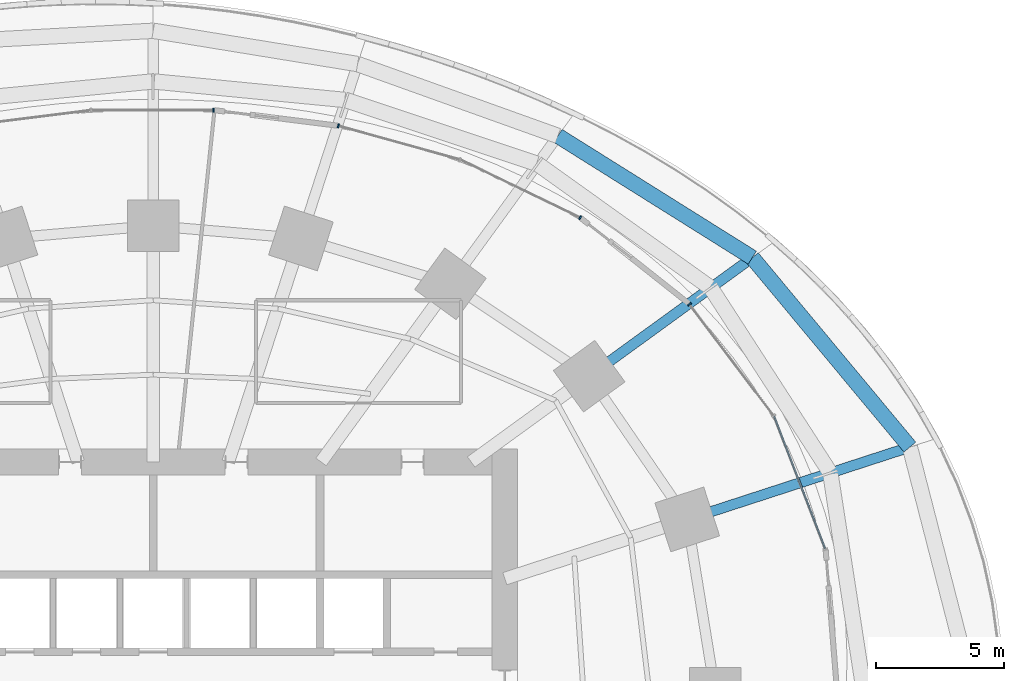
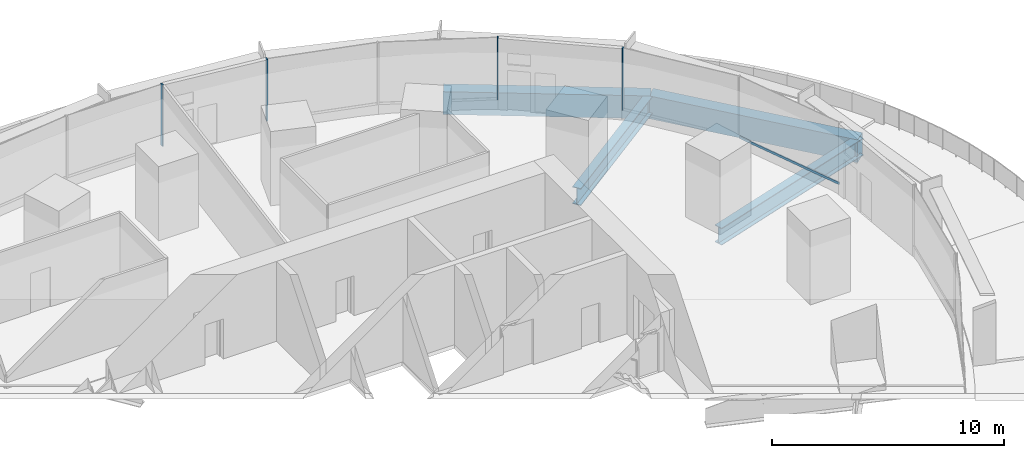
# One storey, part 9 of 20: 5 members, 4 beams, 4 elements without a shape of their own.
"""IFC4 building model written with IfcOpenShell, lengths in metres."""

from ifc_helpers import new_model, si_unit, direction, frame, origin, origin_2d, place, context, subcontext, project, spatial, rectangle, i_section, extrude, material, material_profile, profile_set, type_object, element, aggregate, save


model = new_model("IFC4")

# Units and contexts
model_context = context("Model", 3, precision=1e-05, world=origin(), true_north=direction((0.0, 1.0)))
body_context = subcontext(model_context, "Body", "Model", "MODEL_VIEW")
ifc_project = project(units=[si_unit("LENGTHUNIT", "METRE"), si_unit("AREAUNIT", "SQUARE_METRE"), si_unit("VOLUMEUNIT", "CUBIC_METRE"), si_unit("PLANEANGLEUNIT", "RADIAN"), si_unit("MASSUNIT", "GRAM", prefix="KILO")], contexts=[model_context])

# Site, building, storey
site_placement = place(None, origin())
site = spatial("IfcSite", under=ifc_project, at=site_placement, CompositionType="ELEMENT")
building_placement = place(site_placement, origin())
building = spatial("IfcBuilding", under=site, at=building_placement, Name="Marramba Exchange Tower", CompositionType="ELEMENT")
storey_placement = place(building_placement, frame((0.0, 0.0, 19.60009765625)))
storey = spatial("IfcBuildingStorey", under=building, at=storey_placement, Name="L04", CompositionType="ELEMENT", Elevation=19.60009765625)

# Beams
ifc_material_1 = material(Name="Concrete N50", Category="concrete")
ifc_material_profile_1 = material_profile(ifc_material_1, rectangle(XDim=0.60009765625, YDim=1.199951171875, at=origin_2d()), Name="RC 600x1200")
ifc_profile_set_1 = profile_set([ifc_material_profile_1], Name="Concrete N50")
beam_type_1 = type_object("IfcBeamType", Name="Edge beam RC 600x1200 N50", PredefinedType="SPANDREL", material=ifc_profile_set_1)
beam_1_placement = place(storey_placement, frame((29.48193359375, 9.579345703125, -0.85009765625), z_axis=(-0.639553814052, 0.768746329377, 0.0), x_axis=(-0.768746329377, -0.639553814052, 0.0)))
element("IfcBeam", 1, at=beam_1_placement, inside=storey, type_object=beam_type_1, Name="Edge beam L04 P3C02", PredefinedType="SPANDREL", context=body_context, shape_type="SweptSolid", body=[
    extrude(rectangle(XDim=0.60009765625, YDim=1.199951171875, at=origin_2d()), origin(), (0.0, 0.0, 1.0), 9.599853515625),
])
beam_2_placement = place(storey_placement, frame((23.34228515625, 16.959228515625, -0.85009765625), z_axis=(-0.847342315291, 0.531047079567, 0.0), x_axis=(-0.531047079567, -0.847342315291, 0.0)))
element("IfcBeam", 2, at=beam_2_placement, inside=storey, type_object=beam_type_1, Name="Edge beam L04 P3C03", PredefinedType="SPANDREL", context=body_context, shape_type="SweptSolid", body=[
    extrude(rectangle(XDim=0.60009765625, YDim=1.199951171875, at=origin_2d()), origin(), (0.0, 0.0, 1.0), 8.936767578125),
])
ifc_material_2 = material(Name="Steel AS/NZS 3679.2 grade 300", Category="steel")
ifc_material_profile_2 = material_profile(ifc_material_2, i_section(OverallWidth=0.39990234375, OverallDepth=0.89990234375, WebThickness=0.01611328125, FlangeThickness=0.031982421875, at=origin_2d()), Name="900WB282")
ifc_profile_set_2 = profile_set([ifc_material_profile_2], Name="Steel AS/NZS 3679.2 grade 300")
beam_type_2 = type_object("IfcBeamType", Name="Radial girder 900WB282", PredefinedType="BEAM", material=ifc_profile_set_2)
beam_3_placement = place(storey_placement, frame((29.48193359375, 9.579345703125, -0.7001953125), z_axis=(-0.95105196918, -0.309030988606, 0.0), x_axis=(0.309030988606, -0.95105196918, 0.0)))
element("IfcBeam", 3, at=beam_3_placement, inside=storey, type_object=beam_type_2, Name="Radial girder L04 P3C02", PredefinedType="BEAM", context=body_context, shape_type="SweptSolid", body=[
    extrude(i_section(OverallWidth=0.39990234375, OverallDepth=0.89990234375, WebThickness=0.01611328125, FlangeThickness=0.031982421875, at=origin_2d()), origin(), (0.0, 0.0, 1.0), 9.119873046875),
])
beam_4_placement = place(storey_placement, frame((23.34228515625, 16.959228515625, -0.7001953125), z_axis=(-0.809006078677, -0.587800276169, 0.0), x_axis=(0.587800276169, -0.809006078677, 0.0)))
element("IfcBeam", 4, at=beam_4_placement, inside=storey, type_object=beam_type_2, Name="Radial girder L04 P3C03", PredefinedType="BEAM", context=body_context, shape_type="SweptSolid", body=[
    extrude(i_section(OverallWidth=0.39990234375, OverallDepth=0.89990234375, WebThickness=0.01611328125, FlangeThickness=0.031982421875, at=origin_2d()), origin(), (0.0, 0.0, 1.0), 7.857177734375),
])

# Curtain wall, member
ifc_material_3 = material(Name="Aluminium framing, bronze anodised", Category="aluminium")
curtain_wall_type = type_object("IfcCurtainWallType", Name="Trading floor ribbon curtain wall", PredefinedType="USERDEFINED", material=ifc_material_3)
curtain_wall_1_placement = place(storey_placement, origin())
curtain_wall_1 = element("IfcCurtainWall", 5, at=curtain_wall_1_placement, inside=storey, type_object=curtain_wall_type, Name="Curtain wall CW3 L04 F02-F03", ObjectType="RIBBON CURTAIN WALL", PredefinedType="USERDEFINED")
ifc_material_4 = material(Name="Aluminium mullion, bronze anodised", Category="aluminium")
ifc_material_profile_3 = material_profile(ifc_material_4, rectangle(XDim=0.159912109375, YDim=0.06005859375, at=origin_2d()), Name="CW3 mullion 60x160")
ifc_profile_set_3 = profile_set([ifc_material_profile_3], Name="Aluminium mullion, bronze anodised")
member_type_1 = type_object("IfcMemberType", Name="Trading floor ribbon curtain wall mullion", PredefinedType="MULLION", material=ifc_profile_set_3)
member_1_placement = place(storey_placement, frame((20.8935546875, 15.142822265625, 0.7998046875), z_axis=(0.0, 0.0, 1.0), x_axis=(-0.797748922445, -0.602989765036, 0.0)))
member_1 = element("IfcMember", 6, at=member_1_placement, type_object=member_type_1, Name="CW3 mullion 2", PredefinedType="MULLION", context=body_context, shape_type="SweptSolid", body=[
    extrude(rectangle(XDim=0.159912109375, YDim=0.06005859375, at=origin_2d()), origin(), (0.0, 0.0, 1.0), 3.239990234375),
])

curtain_wall_2_placement = place(storey_placement, origin())
curtain_wall_2 = element("IfcCurtainWall", 7, at=curtain_wall_2_placement, inside=storey, type_object=curtain_wall_type, Name="Curtain wall CW3 L04 F05", ObjectType="RIBBON CURTAIN WALL", PredefinedType="USERDEFINED")
member_2_placement = place(storey_placement, frame((16.63330078125, 18.516357421875, 0.7998046875), z_axis=(0.0, 0.0, 1.0), x_axis=(-0.43596538664, -0.899963433508, 0.0)))
member_2 = element("IfcMember", 8, at=member_2_placement, type_object=member_type_1, Name="CW3 mullion 1", PredefinedType="MULLION", context=body_context, shape_type="SweptSolid", body=[
    extrude(rectangle(XDim=0.159912109375, YDim=0.06005859375, at=origin_2d()), origin(), (0.0, 0.0, 1.0), 3.239990234375),
])
aggregate(curtain_wall_2, [member_2])

curtain_wall_3_placement = place(storey_placement, origin())
curtain_wall_3 = element("IfcCurtainWall", 9, at=curtain_wall_3_placement, inside=storey, type_object=curtain_wall_type, Name="Curtain wall CW3 L04 F06", ObjectType="RIBBON CURTAIN WALL", PredefinedType="USERDEFINED")
member_3_placement = place(storey_placement, frame((7.21044921875, 22.094482421875, 0.7998046875), z_axis=(0.0, 0.0, 1.0), x_axis=(-0.267808735815, -0.963472096649, 0.0)))
member_3 = element("IfcMember", 10, at=member_3_placement, type_object=member_type_1, Name="CW3 mullion 2", PredefinedType="MULLION", context=body_context, shape_type="SweptSolid", body=[
    extrude(rectangle(XDim=0.159912109375, YDim=0.06005859375, at=origin_2d()), origin(), (0.0, 0.0, 1.0), 3.239990234375),
])
aggregate(curtain_wall_3, [member_3])

curtain_wall_4_placement = place(storey_placement, origin())
curtain_wall_4 = element("IfcCurtainWall", 11, at=curtain_wall_4_placement, inside=storey, type_object=curtain_wall_type, Name="Curtain wall CW3 L04 F08-F09", ObjectType="RIBBON CURTAIN WALL", PredefinedType="USERDEFINED")
member_4_placement = place(storey_placement, frame((2.3564453125, 22.7060546875, 0.7998046875), z_axis=(0.0, 0.0, 1.0), x_axis=(0.0, -1.0, 0.0)))
member_4 = element("IfcMember", 12, at=member_4_placement, type_object=member_type_1, Name="CW3 mullion 1", PredefinedType="MULLION", context=body_context, shape_type="SweptSolid", body=[
    extrude(rectangle(XDim=0.159912109375, YDim=0.06005859375, at=origin_2d()), origin(), (0.0, 0.0, 1.0), 3.239990234375),
])
aggregate(curtain_wall_4, [member_4])

# Member
ifc_material_5 = material(Name="Aluminium transom, bronze anodised", Category="aluminium")
ifc_material_profile_4 = material_profile(ifc_material_5, rectangle(XDim=0.06005859375, YDim=0.1201171875, at=origin_2d()), Name="CW3 transom 60x120")
ifc_profile_set_4 = profile_set([ifc_material_profile_4], Name="Aluminium transom, bronze anodised")
member_type_2 = type_object("IfcMemberType", Name="Trading floor ribbon curtain wall transom", PredefinedType="USERDEFINED", material=ifc_profile_set_4)
member_5_placement = place(storey_placement, frame((26.179931640625, 5.625244140625, 0.829833984375), z_axis=(-0.359533581349, 0.933132147063, 0.0), x_axis=(-0.933132147063, -0.359533581349, 0.0)))
member_5 = element("IfcMember", 13, at=member_5_placement, type_object=member_type_2, Name="CW3 sill transom", ObjectType="TRANSOM", PredefinedType="USERDEFINED", context=body_context, shape_type="SweptSolid", body=[
    extrude(rectangle(XDim=0.06005859375, YDim=0.1201171875, at=origin_2d()), origin(), (0.0, 0.0, 1.0), 5.5166015625),
])

aggregate(curtain_wall_1, [member_5, member_1])

save(model, "model.ifc")
